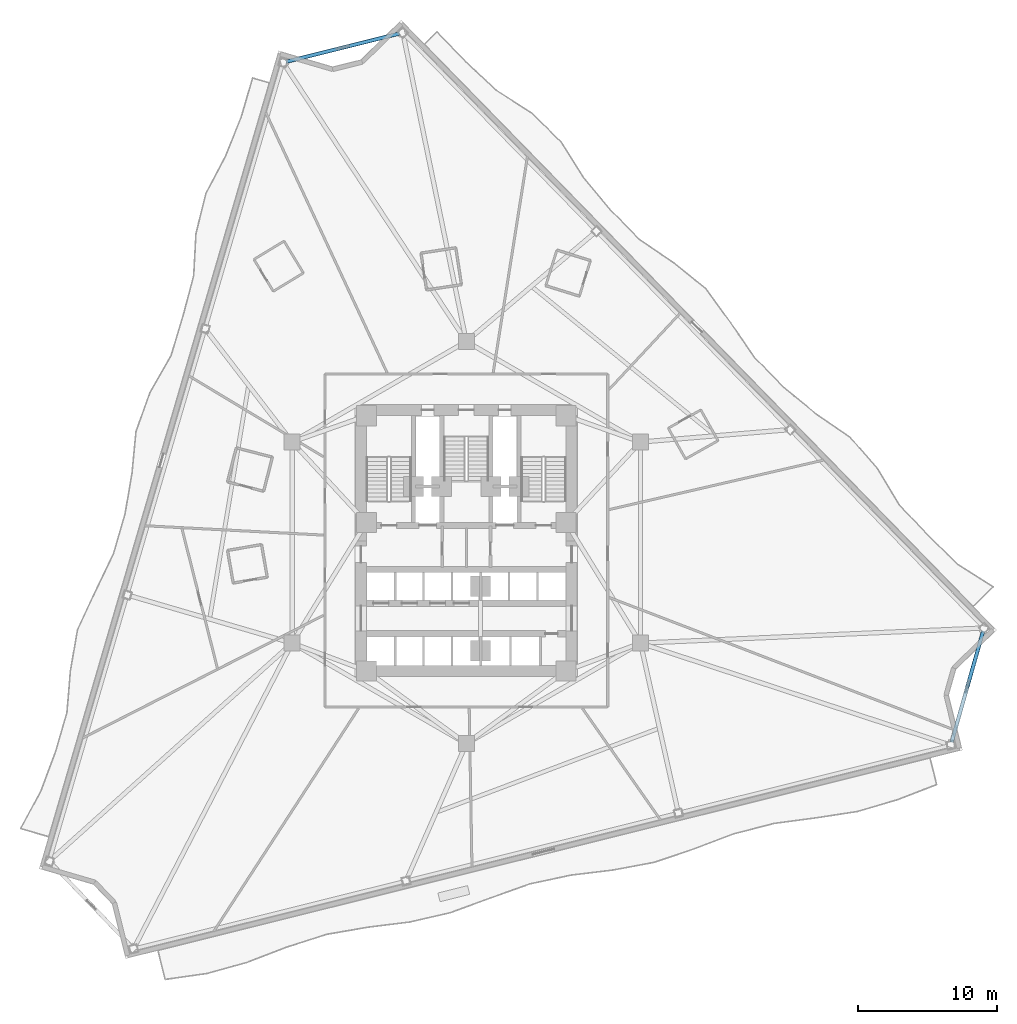
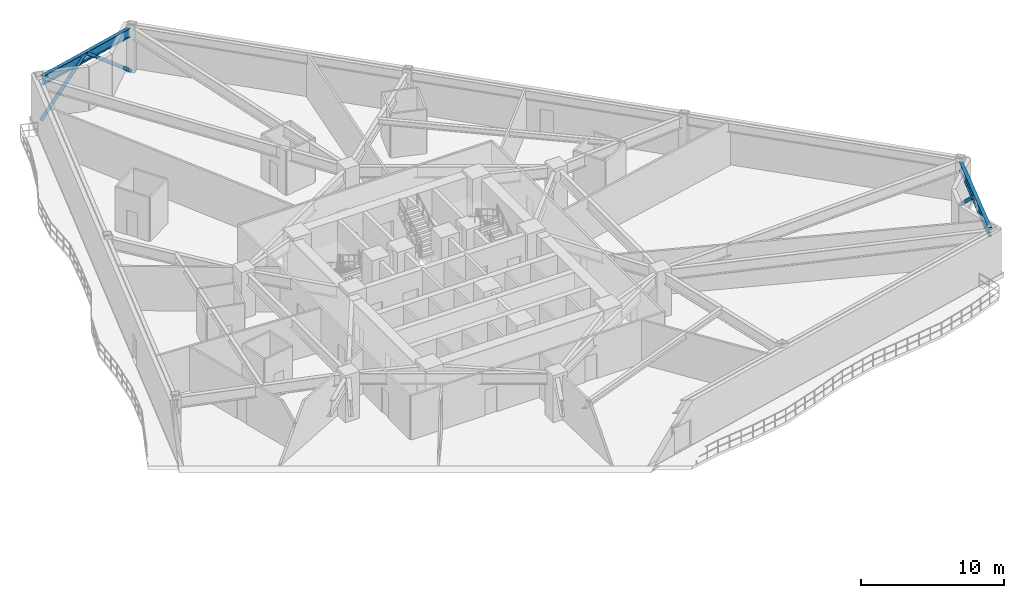
# One storey, part 2 of 13: 3 members, 2 beams.
"""IFC4 building model written with IfcOpenShell, lengths in metres."""

from ifc_helpers import new_model, si_unit, direction, frame, origin, origin_2d, place, context, subcontext, project, spatial, hollow_circle, i_section, extrude, material, material_profile, profile_set, type_object, element, save


model = new_model("IFC4")

# Units and contexts
model_context = context("Model", 3, precision=1e-05, world=origin(), true_north=direction((0.0, 1.0)))
body_context = subcontext(model_context, "Body", "Model", "MODEL_VIEW")
ifc_project = project(units=[si_unit("LENGTHUNIT", "METRE"), si_unit("AREAUNIT", "SQUARE_METRE"), si_unit("VOLUMEUNIT", "CUBIC_METRE"), si_unit("PLANEANGLEUNIT", "RADIAN"), si_unit("MASSUNIT", "GRAM", prefix="KILO")], contexts=[model_context])

# Site, building, storey
site_placement = place(None, origin())
site = spatial("IfcSite", under=ifc_project, at=site_placement, CompositionType="ELEMENT")
building_placement = place(site_placement, origin())
building = spatial("IfcBuilding", under=site, at=building_placement, Name="Apsidion Concourse Tower", CompositionType="ELEMENT")
storey_placement = place(building_placement, frame((0.0, 0.0, 95.0)))
storey = spatial("IfcBuildingStorey", under=building, at=storey_placement, Name="L21", CompositionType="ELEMENT", Elevation=95.0)

# Beams
ifc_material_1 = material(Name="Structural steel ASTM A992 Grade 50", Category="steel")
ifc_material_profile_1 = material_profile(ifc_material_1, i_section(OverallWidth=0.26806640625, OverallDepth=0.77001953125, WebThickness=0.015625, FlangeThickness=0.025390625, at=origin_2d()), Name="W30X132")
ifc_profile_set_1 = profile_set([ifc_material_profile_1], Name="Structural steel ASTM A992 Grade 50")
beam_type = type_object("IfcBeamType", Name="BM-SP-W30", PredefinedType="SPANDREL", material=ifc_profile_set_1)
beam_1_placement = place(storey_placement, frame((34.99951171875, -14.397216796875, 3.364990234375), z_axis=(0.272993072399, 0.962015999047, 0.0), x_axis=(-0.962015999047, 0.272993072399, 0.0)))
element("IfcBeam", 1, at=beam_1_placement, inside=storey, type_object=beam_type, Name="L21 Perimeter Spandrel Girder SP-08", PredefinedType="SPANDREL", context=body_context, shape_type="SweptSolid", body=[
    extrude(i_section(OverallWidth=0.26806640625, OverallDepth=0.77001953125, WebThickness=0.015625, FlangeThickness=0.025390625, at=origin_2d()), origin(), (0.0, 0.0, 1.0), 8.343017578125),
])
beam_2_placement = place(storey_placement, frame((-4.791259765625, 36.718505859375, 3.364990234375), z_axis=(-0.970296632691, -0.241918260137, 0.0), x_axis=(0.241918260137, -0.970296632691, 0.0)))
element("IfcBeam", 2, at=beam_2_placement, inside=storey, type_object=beam_type, Name="L21 Perimeter Spandrel Girder SP-12", PredefinedType="SPANDREL", context=body_context, shape_type="SweptSolid", body=[
    extrude(i_section(OverallWidth=0.26806640625, OverallDepth=0.77001953125, WebThickness=0.015625, FlangeThickness=0.025390625, at=origin_2d()), origin(), (0.0, 0.0, 1.0), 8.468017578125),
])

# Members
ifc_material_2 = material(Name="Structural steel ASTM A500 Grade C", Category="steel")
ifc_material_profile_2 = material_profile(ifc_material_2, hollow_circle(Radius=0.136474609375, WallThickness=0.01611328125, at=origin_2d()), Name="CHS273X16")
ifc_profile_set_2 = profile_set([ifc_material_profile_2], Name="Structural steel ASTM A500 Grade C")
member_type = type_object("IfcMemberType", Name="MB-BR-CHS273", PredefinedType="BRACE", material=ifc_profile_set_2)
member_1_placement = place(storey_placement, frame((37.309814453125, -6.255859375, 0.0), z_axis=(-0.207969042153, -0.732810273559, 0.647871885849), x_axis=(0.962009756667, -0.273015069323, 0.0)))
element("IfcMember", 3, at=member_1_placement, inside=storey, type_object=member_type, Name="L21 Corner Step-Transfer Chevron Brace KN-2-2", PredefinedType="BRACE", context=body_context, shape_type="SweptSolid", body=[
    extrude(hollow_circle(Radius=0.136474609375, WallThickness=0.01611328125, at=origin_2d()), origin(), (0.0, 0.0, 1.0), 5.6337890625),
])
member_2_placement = place(storey_placement, frame((-4.6748046875, 36.74755859375, 0.0), z_axis=(-0.743579092093, -0.185422086361, 0.642424146255), x_axis=(0.241955060985, -0.970287456615, 0.0)))
element("IfcMember", 4, at=member_2_placement, inside=storey, type_object=member_type, Name="L21 Corner Step-Transfer Chevron Brace KN-3-1", PredefinedType="BRACE", context=body_context, shape_type="SweptSolid", body=[
    extrude(hollow_circle(Radius=0.136474609375, WallThickness=0.01611328125, at=origin_2d()), origin(), (0.0, 0.0, 1.0), 5.681396484375),
])
member_3_placement = place(storey_placement, frame((-13.12451171875, 34.640869140625, 0.0), z_axis=(0.743623436364, 0.185368745203, 0.642388210658), x_axis=(-0.241875949271, 0.970307180827, 0.0)))
element("IfcMember", 5, at=member_3_placement, inside=storey, type_object=member_type, Name="L21 Corner Step-Transfer Chevron Brace KN-3-2", PredefinedType="BRACE", context=body_context, shape_type="SweptSolid", body=[
    extrude(hollow_circle(Radius=0.136474609375, WallThickness=0.01611328125, at=origin_2d()), origin(), (0.0, 0.0, 1.0), 5.681884765625),
])

save(model, "model.ifc")
